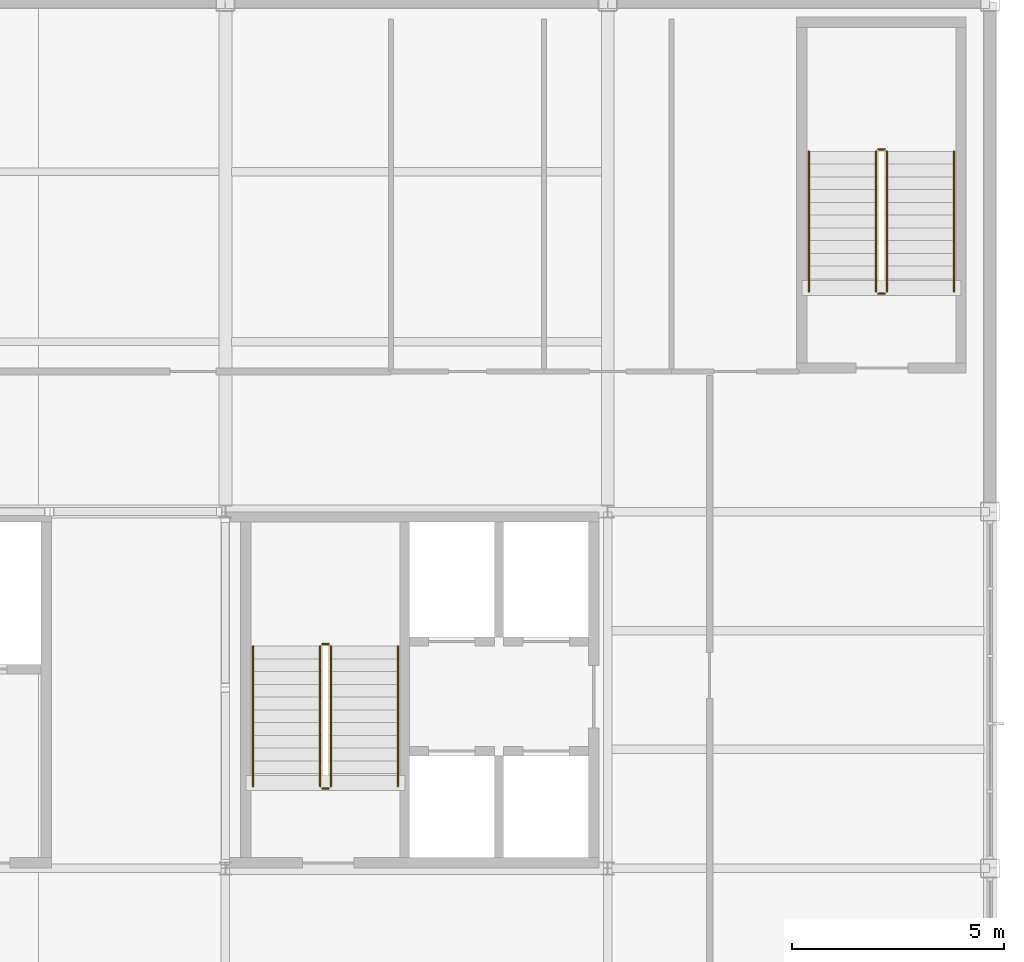
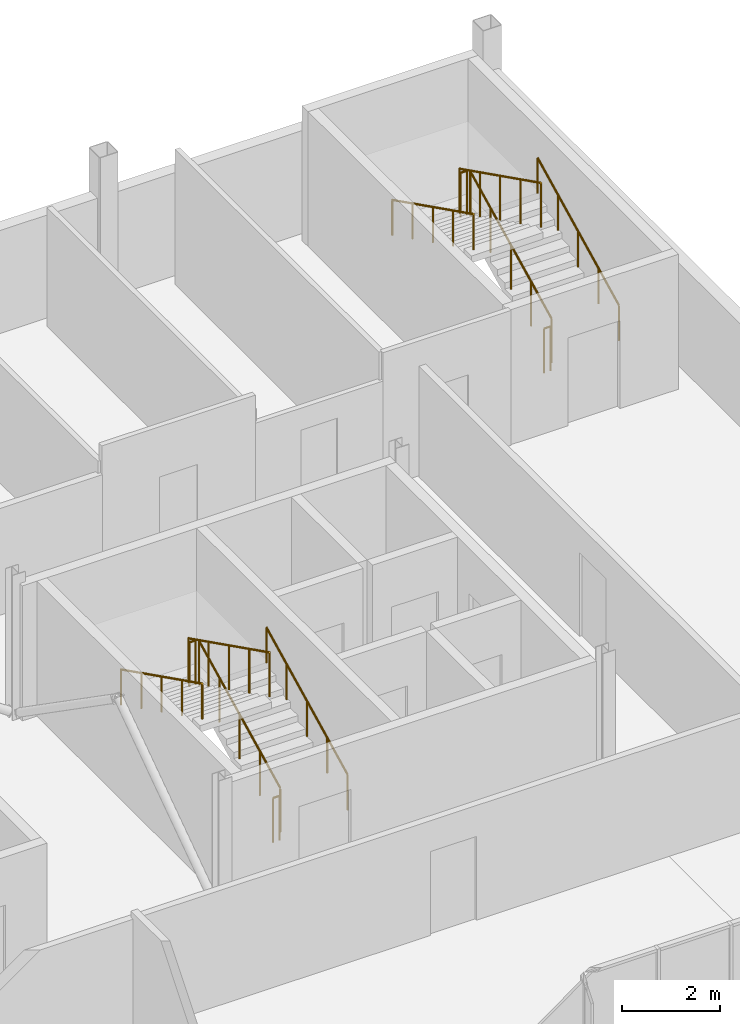
# One storey, part 14 of 14: 12 railings.
"""IFC4 building model written with IfcOpenShell, lengths in metres."""

from ifc_helpers import new_model, si_unit, direction, frame, origin, origin_2d, place, context, subcontext, project, spatial, circle, extrude, material, layer, layer_set, type_object, element, save


model = new_model("IFC4")

# Units and contexts
model_context = context("Model", 3, precision=1e-05, world=origin(), true_north=direction((0.0, 1.0)))
body_context = subcontext(model_context, "Body", "Model", "MODEL_VIEW")
ifc_project = project(units=[si_unit("LENGTHUNIT", "METRE"), si_unit("AREAUNIT", "SQUARE_METRE"), si_unit("VOLUMEUNIT", "CUBIC_METRE"), si_unit("PLANEANGLEUNIT", "RADIAN"), si_unit("MASSUNIT", "GRAM", prefix="KILO")], contexts=[model_context])

# Site, building, storey
site_placement = place(None, origin())
site = spatial("IfcSite", under=ifc_project, at=site_placement, CompositionType="ELEMENT")
building_placement = place(site_placement, origin())
building = spatial("IfcBuilding", under=site, at=building_placement, Name="Yukiwa Park Conservatory and Herbarium", CompositionType="ELEMENT")
storey_placement = place(building_placement, frame((0.0, 0.0, 50.39990234375)))
storey = spatial("IfcBuildingStorey", under=building, at=storey_placement, Name="L13", CompositionType="ELEMENT", Elevation=50.39990234375)

# Railings
ifc_material_1 = material(Name="Steel Q235B", Category="steel")
ifc_layer_1 = layer(ifc_material_1, 0.050048828125)
ifc_layer_set_1 = layer_set([ifc_layer_1], Name="Steel Q235B")
railing_type_1 = type_object("IfcRailingType", Name="RL-STAIR-GUARD-1120", PredefinedType="BALUSTRADE", material=ifc_layer_set_1)
railing_1_placement = place(storey_placement, frame((152.47998046875, 96.72998046875, 0.150146484375)))
element("IfcRailing", 1, at=railing_1_placement, inside=storey, type_object=railing_type_1, Name="L13 ST-T2 stair guard 1", PredefinedType="BALUSTRADE", context=body_context, shape_type="SweptSolid", body=[
    extrude(circle(Radius=0.02392578125, at=origin_2d()), frame((0.0, 0.0, 1.09619140625), z_axis=(0.0, 0.894440424912, 0.447187126696), x_axis=(-1.0, 0.0, 0.0)), (0.0, 0.0, 1.0), 3.689453125),
    extrude(circle(Radius=0.02099609375, at=origin_2d()), origin(), (0.0, 0.0, 1.0), 1.072021484375),
    extrude(circle(Radius=0.02099609375, at=origin_2d()), frame((0.0, 0.824951171875, 0.41259765625)), (0.0, 0.0, 1.0), 1.072021484375),
    extrude(circle(Radius=0.02099609375, at=origin_2d()), frame((0.0, 1.64990234375, 0.824951171875)), (0.0, 0.0, 1.0), 1.072021484375),
    extrude(circle(Radius=0.02099609375, at=origin_2d()), frame((0.0, 2.47509765625, 1.2373046875)), (0.0, 0.0, 1.0), 1.072021484375),
    extrude(circle(Radius=0.02099609375, at=origin_2d()), frame((0.0, 3.300048828125, 1.64990234375)), (0.0, 0.0, 1.0), 1.072021484375),
])
railing_2_placement = place(storey_placement, frame((152.429931640625, 100.080078125, 1.800048828125)))
element("IfcRailing", 2, at=railing_2_placement, inside=storey, type_object=railing_type_1, Name="L13 ST-T2 stair guard 2", PredefinedType="BALUSTRADE", context=body_context, shape_type="SweptSolid", body=[
    extrude(circle(Radius=0.02392578125, at=origin_2d()), frame((0.0, 0.0, 1.09619140625), z_axis=(-1.0, 0.0, 0.0), x_axis=(0.0, -1.0, 0.0)), (0.0, 0.0, 1.0), 0.14990234375),
    extrude(circle(Radius=0.02099609375, at=origin_2d()), origin(), (0.0, 0.0, 1.0), 1.072021484375),
    extrude(circle(Radius=0.02099609375, at=origin_2d()), frame((-0.14990234375, 0.0, 0.0)), (0.0, 0.0, 1.0), 1.072021484375),
])
railing_3_placement = place(storey_placement, frame((152.22998046875, 100.030029296875, 1.9501953125)))
element("IfcRailing", 3, at=railing_3_placement, inside=storey, type_object=railing_type_1, Name="L13 ST-T2 stair guard 3", PredefinedType="BALUSTRADE", context=body_context, shape_type="SweptSolid", body=[
    extrude(circle(Radius=0.02392578125, at=origin_2d()), frame((0.0, 0.0, 1.09619140625), z_axis=(0.0, -0.894440424912, 0.447187126696), x_axis=(1.0, 0.0, 0.0)), (0.0, 0.0, 1.0), 3.689453125),
    extrude(circle(Radius=0.02099609375, at=origin_2d()), origin(), (0.0, 0.0, 1.0), 1.072021484375),
    extrude(circle(Radius=0.02099609375, at=origin_2d()), frame((0.0, -0.824951171875, 0.41259765625)), (0.0, 0.0, 1.0), 1.072021484375),
    extrude(circle(Radius=0.02099609375, at=origin_2d()), frame((0.0, -1.64990234375, 0.824951171875)), (0.0, 0.0, 1.0), 1.072021484375),
    extrude(circle(Radius=0.02099609375, at=origin_2d()), frame((0.0, -2.47509765625, 1.2373046875)), (0.0, 0.0, 1.0), 1.072021484375),
    extrude(circle(Radius=0.02099609375, at=origin_2d()), frame((0.0, -3.300048828125, 1.64990234375)), (0.0, 0.0, 1.0), 1.072021484375),
])
railing_4_placement = place(storey_placement, frame((152.429931640625, 96.679931640625, 0.0)))
element("IfcRailing", 4, at=railing_4_placement, inside=storey, type_object=railing_type_1, Name="L13 ST-T2 stair guard 4", PredefinedType="BALUSTRADE", context=body_context, shape_type="SweptSolid", body=[
    extrude(circle(Radius=0.02392578125, at=origin_2d()), frame((0.0, 0.0, 1.09619140625), z_axis=(-1.0, 0.0, 0.0), x_axis=(0.0, -1.0, 0.0)), (0.0, 0.0, 1.0), 0.14990234375),
    extrude(circle(Radius=0.02099609375, at=origin_2d()), origin(), (0.0, 0.0, 1.0), 1.072021484375),
    extrude(circle(Radius=0.02099609375, at=origin_2d()), frame((-0.14990234375, 0.0, 0.0)), (0.0, 0.0, 1.0), 1.072021484375),
])
railing_5_placement = place(storey_placement, frame((165.570068359375, 108.3798828125, 0.150146484375)))
element("IfcRailing", 5, at=railing_5_placement, inside=storey, type_object=railing_type_1, Name="L13 ST-T3 stair guard 1", PredefinedType="BALUSTRADE", context=body_context, shape_type="SweptSolid", body=[
    extrude(circle(Radius=0.02392578125, at=origin_2d()), frame((0.0, 0.0, 1.09619140625), z_axis=(0.0, 0.894440424912, 0.447187126696), x_axis=(-1.0, 0.0, 0.0)), (0.0, 0.0, 1.0), 3.689453125),
    extrude(circle(Radius=0.02099609375, at=origin_2d()), origin(), (0.0, 0.0, 1.0), 1.072021484375),
    extrude(circle(Radius=0.02099609375, at=origin_2d()), frame((0.0, 0.824951171875, 0.41259765625)), (0.0, 0.0, 1.0), 1.072021484375),
    extrude(circle(Radius=0.02099609375, at=origin_2d()), frame((0.0, 1.64990234375, 0.824951171875)), (0.0, 0.0, 1.0), 1.072021484375),
    extrude(circle(Radius=0.02099609375, at=origin_2d()), frame((0.0, 2.47509765625, 1.2373046875)), (0.0, 0.0, 1.0), 1.072021484375),
    extrude(circle(Radius=0.02099609375, at=origin_2d()), frame((0.0, 3.300048828125, 1.64990234375)), (0.0, 0.0, 1.0), 1.072021484375),
])
railing_6_placement = place(storey_placement, frame((165.52001953125, 111.72998046875, 1.800048828125)))
element("IfcRailing", 6, at=railing_6_placement, inside=storey, type_object=railing_type_1, Name="L13 ST-T3 stair guard 2", PredefinedType="BALUSTRADE", context=body_context, shape_type="SweptSolid", body=[
    extrude(circle(Radius=0.02392578125, at=origin_2d()), frame((0.0, 0.0, 1.09619140625), z_axis=(-1.0, 0.0, 0.0), x_axis=(0.0, -1.0, 0.0)), (0.0, 0.0, 1.0), 0.14990234375),
    extrude(circle(Radius=0.02099609375, at=origin_2d()), origin(), (0.0, 0.0, 1.0), 1.072021484375),
    extrude(circle(Radius=0.02099609375, at=origin_2d()), frame((-0.14990234375, 0.0, 0.0)), (0.0, 0.0, 1.0), 1.072021484375),
])
railing_7_placement = place(storey_placement, frame((165.320068359375, 111.679931640625, 1.9501953125)))
element("IfcRailing", 7, at=railing_7_placement, inside=storey, type_object=railing_type_1, Name="L13 ST-T3 stair guard 3", PredefinedType="BALUSTRADE", context=body_context, shape_type="SweptSolid", body=[
    extrude(circle(Radius=0.02392578125, at=origin_2d()), frame((0.0, 0.0, 1.09619140625), z_axis=(0.0, -0.894440424912, 0.447187126696), x_axis=(1.0, 0.0, 0.0)), (0.0, 0.0, 1.0), 3.689453125),
    extrude(circle(Radius=0.02099609375, at=origin_2d()), origin(), (0.0, 0.0, 1.0), 1.072021484375),
    extrude(circle(Radius=0.02099609375, at=origin_2d()), frame((0.0, -0.824951171875, 0.41259765625)), (0.0, 0.0, 1.0), 1.072021484375),
    extrude(circle(Radius=0.02099609375, at=origin_2d()), frame((0.0, -1.64990234375, 0.824951171875)), (0.0, 0.0, 1.0), 1.072021484375),
    extrude(circle(Radius=0.02099609375, at=origin_2d()), frame((0.0, -2.47509765625, 1.2373046875)), (0.0, 0.0, 1.0), 1.072021484375),
    extrude(circle(Radius=0.02099609375, at=origin_2d()), frame((0.0, -3.300048828125, 1.64990234375)), (0.0, 0.0, 1.0), 1.072021484375),
])
railing_8_placement = place(storey_placement, frame((165.52001953125, 108.330078125, 0.0)))
element("IfcRailing", 8, at=railing_8_placement, inside=storey, type_object=railing_type_1, Name="L13 ST-T3 stair guard 4", PredefinedType="BALUSTRADE", context=body_context, shape_type="SweptSolid", body=[
    extrude(circle(Radius=0.02392578125, at=origin_2d()), frame((0.0, 0.0, 1.09619140625), z_axis=(-1.0, 0.0, 0.0), x_axis=(0.0, -1.0, 0.0)), (0.0, 0.0, 1.0), 0.14990234375),
    extrude(circle(Radius=0.02099609375, at=origin_2d()), origin(), (0.0, 0.0, 1.0), 1.072021484375),
    extrude(circle(Radius=0.02099609375, at=origin_2d()), frame((-0.14990234375, 0.0, 0.0)), (0.0, 0.0, 1.0), 1.072021484375),
])
ifc_material_2 = material(Name="Steel Q235B", Category="steel")
ifc_layer_2 = layer(ifc_material_2, 0.044921875)
ifc_layer_set_2 = layer_set([ifc_layer_2], Name="Steel Q235B")
railing_type_2 = type_object("IfcRailingType", Name="RL-STAIR-RAIL-900", PredefinedType="HANDRAIL", material=ifc_layer_set_2)
railing_9_placement = place(storey_placement, frame((154.06005859375, 96.72998046875, 0.150146484375)))
element("IfcRailing", 9, at=railing_9_placement, inside=storey, type_object=railing_type_2, Name="L13 ST-T2 stair handrail 1", PredefinedType="HANDRAIL", context=body_context, shape_type="SweptSolid", body=[
    extrude(circle(Radius=0.02392578125, at=origin_2d()), frame((0.0, 0.0, 0.8759765625), z_axis=(0.0, 0.894440424912, 0.447187126696), x_axis=(-1.0, 0.0, 0.0)), (0.0, 0.0, 1.0), 3.689453125),
    extrude(circle(Radius=0.02099609375, at=origin_2d()), origin(), (0.0, 0.0, 1.0), 0.851806640625),
    extrude(circle(Radius=0.02099609375, at=origin_2d()), frame((0.0, 0.824951171875, 0.41259765625)), (0.0, 0.0, 1.0), 0.851806640625),
    extrude(circle(Radius=0.02099609375, at=origin_2d()), frame((0.0, 1.64990234375, 0.824951171875)), (0.0, 0.0, 1.0), 0.851806640625),
    extrude(circle(Radius=0.02099609375, at=origin_2d()), frame((0.0, 2.47509765625, 1.2373046875)), (0.0, 0.0, 1.0), 0.851806640625),
    extrude(circle(Radius=0.02099609375, at=origin_2d()), frame((0.0, 3.300048828125, 1.64990234375)), (0.0, 0.0, 1.0), 0.851806640625),
])
railing_10_placement = place(storey_placement, frame((150.64990234375, 100.030029296875, 1.9501953125)))
element("IfcRailing", 10, at=railing_10_placement, inside=storey, type_object=railing_type_2, Name="L13 ST-T2 stair handrail 2", PredefinedType="HANDRAIL", context=body_context, shape_type="SweptSolid", body=[
    extrude(circle(Radius=0.02392578125, at=origin_2d()), frame((0.0, 0.0, 0.8759765625), z_axis=(0.0, -0.894440424912, 0.447187126696), x_axis=(1.0, 0.0, 0.0)), (0.0, 0.0, 1.0), 3.689453125),
    extrude(circle(Radius=0.02099609375, at=origin_2d()), origin(), (0.0, 0.0, 1.0), 0.851806640625),
    extrude(circle(Radius=0.02099609375, at=origin_2d()), frame((0.0, -0.824951171875, 0.41259765625)), (0.0, 0.0, 1.0), 0.851806640625),
    extrude(circle(Radius=0.02099609375, at=origin_2d()), frame((0.0, -1.64990234375, 0.824951171875)), (0.0, 0.0, 1.0), 0.851806640625),
    extrude(circle(Radius=0.02099609375, at=origin_2d()), frame((0.0, -2.47509765625, 1.2373046875)), (0.0, 0.0, 1.0), 0.851806640625),
    extrude(circle(Radius=0.02099609375, at=origin_2d()), frame((0.0, -3.300048828125, 1.64990234375)), (0.0, 0.0, 1.0), 0.851806640625),
])
railing_11_placement = place(storey_placement, frame((167.14990234375, 108.3798828125, 0.150146484375)))
element("IfcRailing", 11, at=railing_11_placement, inside=storey, type_object=railing_type_2, Name="L13 ST-T3 stair handrail 1", PredefinedType="HANDRAIL", context=body_context, shape_type="SweptSolid", body=[
    extrude(circle(Radius=0.02392578125, at=origin_2d()), frame((0.0, 0.0, 0.8759765625), z_axis=(0.0, 0.894440424912, 0.447187126696), x_axis=(-1.0, 0.0, 0.0)), (0.0, 0.0, 1.0), 3.689453125),
    extrude(circle(Radius=0.02099609375, at=origin_2d()), origin(), (0.0, 0.0, 1.0), 0.851806640625),
    extrude(circle(Radius=0.02099609375, at=origin_2d()), frame((0.0, 0.824951171875, 0.41259765625)), (0.0, 0.0, 1.0), 0.851806640625),
    extrude(circle(Radius=0.02099609375, at=origin_2d()), frame((0.0, 1.64990234375, 0.824951171875)), (0.0, 0.0, 1.0), 0.851806640625),
    extrude(circle(Radius=0.02099609375, at=origin_2d()), frame((0.0, 2.47509765625, 1.2373046875)), (0.0, 0.0, 1.0), 0.851806640625),
    extrude(circle(Radius=0.02099609375, at=origin_2d()), frame((0.0, 3.300048828125, 1.64990234375)), (0.0, 0.0, 1.0), 0.851806640625),
])
railing_12_placement = place(storey_placement, frame((163.739990234375, 111.679931640625, 1.9501953125)))
element("IfcRailing", 12, at=railing_12_placement, inside=storey, type_object=railing_type_2, Name="L13 ST-T3 stair handrail 2", PredefinedType="HANDRAIL", context=body_context, shape_type="SweptSolid", body=[
    extrude(circle(Radius=0.02392578125, at=origin_2d()), frame((0.0, 0.0, 0.8759765625), z_axis=(0.0, -0.894440424912, 0.447187126696), x_axis=(1.0, 0.0, 0.0)), (0.0, 0.0, 1.0), 3.689453125),
    extrude(circle(Radius=0.02099609375, at=origin_2d()), origin(), (0.0, 0.0, 1.0), 0.851806640625),
    extrude(circle(Radius=0.02099609375, at=origin_2d()), frame((0.0, -0.824951171875, 0.41259765625)), (0.0, 0.0, 1.0), 0.851806640625),
    extrude(circle(Radius=0.02099609375, at=origin_2d()), frame((0.0, -1.64990234375, 0.824951171875)), (0.0, 0.0, 1.0), 0.851806640625),
    extrude(circle(Radius=0.02099609375, at=origin_2d()), frame((0.0, -2.47509765625, 1.2373046875)), (0.0, 0.0, 1.0), 0.851806640625),
    extrude(circle(Radius=0.02099609375, at=origin_2d()), frame((0.0, -3.300048828125, 1.64990234375)), (0.0, 0.0, 1.0), 0.851806640625),
])

save(model, "model.ifc")
